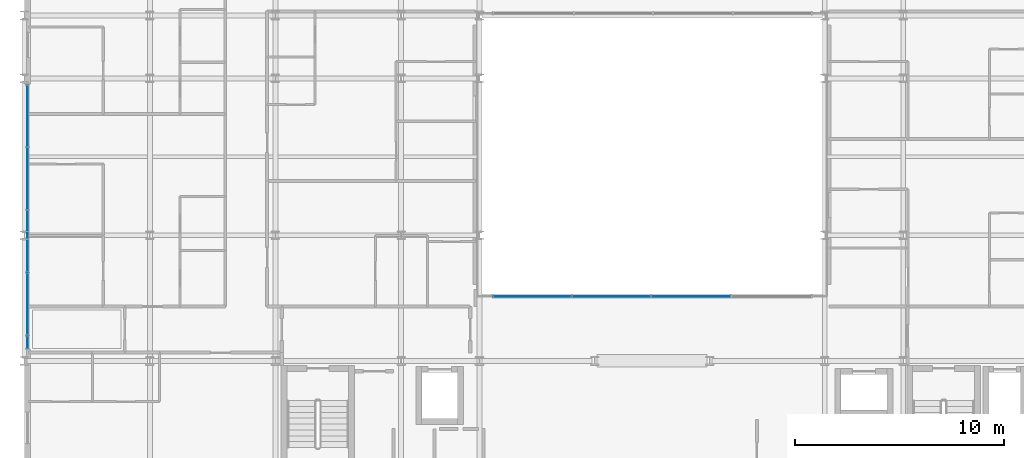
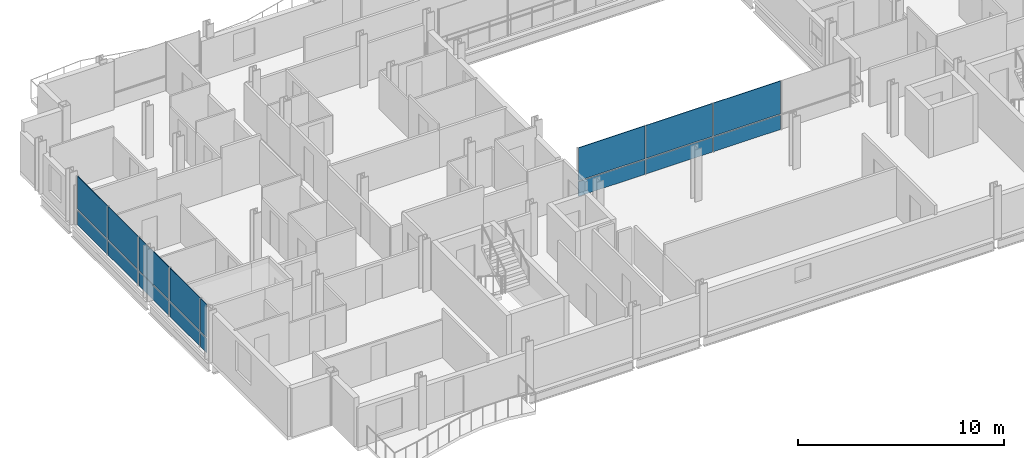
# One storey, part 26 of 40: 16 plates, 2 elements without a shape of their own.
"""IFC4 building model written with IfcOpenShell, lengths in metres."""

from ifc_helpers import new_model, si_unit, direction, frame, origin, origin_2d, place, context, subcontext, project, spatial, rectangle, extrude, material, layer, layer_set, type_object, element, aggregate, save


model = new_model("IFC4")

# Units and contexts
model_context = context("Model", 3, precision=1e-05, world=origin(), true_north=direction((0.0, 1.0)))
body_context = subcontext(model_context, "Body", "Model", "MODEL_VIEW")
ifc_project = project(units=[si_unit("LENGTHUNIT", "METRE"), si_unit("AREAUNIT", "SQUARE_METRE"), si_unit("VOLUMEUNIT", "CUBIC_METRE"), si_unit("PLANEANGLEUNIT", "RADIAN"), si_unit("MASSUNIT", "GRAM", prefix="KILO")], contexts=[model_context])

# Site, building, storey
site_placement = place(None, origin())
site = spatial("IfcSite", under=ifc_project, at=site_placement, CompositionType="ELEMENT")
building_placement = place(site_placement, origin())
building = spatial("IfcBuilding", under=site, at=building_placement, Name="Brevholm Reach", CompositionType="ELEMENT")
storey_placement = place(building_placement, frame((0.0, 0.0, 125.199951171875)))
storey = spatial("IfcBuildingStorey", under=building, at=storey_placement, Name="L37", CompositionType="ELEMENT", Elevation=125.199951171875)

# Curtain wall, plates
ifc_material_1 = material(Name="Dark Anodised Aluminium 6063-T6 and Solar-Control Glass", Category="aluminium")
ifc_layer_1 = layer(ifc_material_1, 0.14990234375)
ifc_layer_set_1 = layer_set([ifc_layer_1], Name="Dark Anodised Aluminium 6063-T6 and Solar-Control Glass")
curtain_wall_type_1 = type_object("IfcCurtainWallType", Name="CW-01", PredefinedType="NOTDEFINED", material=ifc_layer_set_1)
curtain_wall_1_placement = place(storey_placement, origin())
curtain_wall_1 = element("IfcCurtainWall", 1, at=curtain_wall_1_placement, inside=storey, type_object=curtain_wall_type_1, Name="L37 Curtain Wall CW-01", PredefinedType="NOTDEFINED")
ifc_material_2 = material(Name="Dark Solar-Control Double-Glazed IGU Glass", Category="glass")
ifc_layer_2 = layer(ifc_material_2, 0.028076171875)
ifc_layer_set_2 = layer_set([ifc_layer_2], Name="Dark Solar-Control Double-Glazed IGU Glass")
plate_type_1 = type_object("IfcPlateType", Name="CWP-GLZ-28", PredefinedType="CURTAIN_PANEL", material=ifc_layer_set_2)
plate_1_placement = place(storey_placement, frame((0.14990234375, 21.703857421875, 0.0), z_axis=(0.0, 0.0, 1.0), x_axis=(0.0, -1.0, 0.0)))
plate_1 = element("IfcPlate", 2, at=plate_1_placement, type_object=plate_type_1, Name="CP-01 Glazing Panel 1.1", PredefinedType="CURTAIN_PANEL", context=body_context, shape_type="SweptSolid", body=[
    extrude(rectangle(XDim=2.902587890625, YDim=0.028076171875, at=origin_2d()), origin(), (0.0, 0.0, 1.0), 0.867431640625),
])
plate_2_placement = place(storey_placement, frame((0.14990234375, 21.703857421875, 0.9326171875), z_axis=(0.0, 0.0, 1.0), x_axis=(0.0, -1.0, 0.0)))
plate_2 = element("IfcPlate", 3, at=plate_2_placement, type_object=plate_type_1, Name="CP-01 Glazing Panel 1.2", PredefinedType="CURTAIN_PANEL", context=body_context, shape_type="SweptSolid", body=[
    extrude(rectangle(XDim=2.902587890625, YDim=0.028076171875, at=origin_2d()), origin(), (0.0, 0.0, 1.0), 1.947509765625),
])
plate_3_placement = place(storey_placement, frame((0.14990234375, 18.719970703125, 0.0), z_axis=(0.0, 0.0, 1.0), x_axis=(0.0, -1.0, 0.0)))
plate_3 = element("IfcPlate", 4, at=plate_3_placement, type_object=plate_type_1, Name="CP-01 Glazing Panel 2.1", PredefinedType="CURTAIN_PANEL", context=body_context, shape_type="SweptSolid", body=[
    extrude(rectangle(XDim=2.93505859375, YDim=0.028076171875, at=origin_2d()), origin(), (0.0, 0.0, 1.0), 0.867431640625),
])
plate_4_placement = place(storey_placement, frame((0.14990234375, 18.719970703125, 0.9326171875), z_axis=(0.0, 0.0, 1.0), x_axis=(0.0, -1.0, 0.0)))
plate_4 = element("IfcPlate", 5, at=plate_4_placement, type_object=plate_type_1, Name="CP-01 Glazing Panel 2.2", PredefinedType="CURTAIN_PANEL", context=body_context, shape_type="SweptSolid", body=[
    extrude(rectangle(XDim=2.93505859375, YDim=0.028076171875, at=origin_2d()), origin(), (0.0, 0.0, 1.0), 1.947509765625),
])
plate_5_placement = place(storey_placement, frame((0.14990234375, 15.719970703125, 0.0), z_axis=(0.0, 0.0, 1.0), x_axis=(0.0, -1.0, 0.0)))
plate_5 = element("IfcPlate", 6, at=plate_5_placement, type_object=plate_type_1, Name="CP-01 Glazing Panel 3.1", PredefinedType="CURTAIN_PANEL", context=body_context, shape_type="SweptSolid", body=[
    extrude(rectangle(XDim=2.93505859375, YDim=0.028076171875, at=origin_2d()), origin(), (0.0, 0.0, 1.0), 0.867431640625),
])
plate_6_placement = place(storey_placement, frame((0.14990234375, 15.719970703125, 0.9326171875), z_axis=(0.0, 0.0, 1.0), x_axis=(0.0, -1.0, 0.0)))
plate_6 = element("IfcPlate", 7, at=plate_6_placement, type_object=plate_type_1, Name="CP-01 Glazing Panel 3.2", PredefinedType="CURTAIN_PANEL", context=body_context, shape_type="SweptSolid", body=[
    extrude(rectangle(XDim=2.93505859375, YDim=0.028076171875, at=origin_2d()), origin(), (0.0, 0.0, 1.0), 1.947509765625),
])
plate_7_placement = place(storey_placement, frame((0.14990234375, 12.719970703125, 0.0), z_axis=(0.0, 0.0, 1.0), x_axis=(0.0, -1.0, 0.0)))
plate_7 = element("IfcPlate", 8, at=plate_7_placement, type_object=plate_type_1, Name="CP-01 Glazing Panel 4.1", PredefinedType="CURTAIN_PANEL", context=body_context, shape_type="SweptSolid", body=[
    extrude(rectangle(XDim=2.93505859375, YDim=0.028076171875, at=origin_2d()), origin(), (0.0, 0.0, 1.0), 0.867431640625),
])
plate_8_placement = place(storey_placement, frame((0.14990234375, 12.719970703125, 0.9326171875), z_axis=(0.0, 0.0, 1.0), x_axis=(0.0, -1.0, 0.0)))
plate_8 = element("IfcPlate", 9, at=plate_8_placement, type_object=plate_type_1, Name="CP-01 Glazing Panel 4.2", PredefinedType="CURTAIN_PANEL", context=body_context, shape_type="SweptSolid", body=[
    extrude(rectangle(XDim=2.93505859375, YDim=0.028076171875, at=origin_2d()), origin(), (0.0, 0.0, 1.0), 1.947509765625),
])
plate_9_placement = place(storey_placement, frame((0.14990234375, 10.9013671875, 0.0), z_axis=(0.0, 0.0, 1.0), x_axis=(0.0, -1.0, 0.0)))
plate_9 = element("IfcPlate", 10, at=plate_9_placement, type_object=plate_type_1, Name="CP-01 Glazing Panel 5.1", PredefinedType="CURTAIN_PANEL", context=body_context, shape_type="SweptSolid", body=[
    extrude(rectangle(XDim=0.572509765625, YDim=0.028076171875, at=origin_2d()), origin(), (0.0, 0.0, 1.0), 0.867431640625),
])
plate_10_placement = place(storey_placement, frame((0.14990234375, 10.9013671875, 0.9326171875), z_axis=(0.0, 0.0, 1.0), x_axis=(0.0, -1.0, 0.0)))
plate_10 = element("IfcPlate", 11, at=plate_10_placement, type_object=plate_type_1, Name="CP-01 Glazing Panel 5.2", PredefinedType="CURTAIN_PANEL", context=body_context, shape_type="SweptSolid", body=[
    extrude(rectangle(XDim=0.572509765625, YDim=0.028076171875, at=origin_2d()), origin(), (0.0, 0.0, 1.0), 1.947509765625),
])
aggregate(curtain_wall_1, [plate_1, plate_2, plate_3, plate_4, plate_5, plate_6, plate_7, plate_8, plate_9, plate_10])

ifc_material_3 = material(Name="Dark Anodised Aluminium 6063-T6 and Solar-Control Glass", Category="aluminium")
ifc_layer_3 = layer(ifc_material_3, 0.139892578125)
ifc_layer_set_3 = layer_set([ifc_layer_3], Name="Dark Anodised Aluminium 6063-T6 and Solar-Control Glass")
curtain_wall_type_2 = type_object("IfcCurtainWallType", Name="CW-02", PredefinedType="NOTDEFINED", material=ifc_layer_set_3)
curtain_wall_2_placement = place(storey_placement, origin())
curtain_wall_2 = element("IfcCurtainWall", 12, at=curtain_wall_2_placement, inside=storey, type_object=curtain_wall_type_2, Name="L37 Curtain Wall CW-02", PredefinedType="NOTDEFINED")
ifc_material_4 = material(Name="Low-Iron Laminated Acoustic Glass", Category="glass")
ifc_layer_4 = layer(ifc_material_4, 0.035888671875)
ifc_layer_set_4 = layer_set([ifc_layer_4], Name="Low-Iron Laminated Acoustic Glass")
plate_type_2 = type_object("IfcPlateType", Name="CWP-GLZ-36", PredefinedType="CURTAIN_PANEL", material=ifc_layer_set_4)
plate_11_placement = place(storey_placement, frame((24.264892578125, 13.080078125, 0.0), z_axis=(0.0, 0.0, 1.0), x_axis=(1.0, 0.0, 0.0)))
plate_11 = element("IfcPlate", 13, at=plate_11_placement, type_object=plate_type_2, Name="CP-02 Glazing Panel 1.1", PredefinedType="CURTAIN_PANEL", context=body_context, shape_type="SweptSolid", body=[
    extrude(rectangle(XDim=3.7099609375, YDim=0.035888671875, at=origin_2d()), origin(), (0.0, 0.0, 1.0), 0.8701171875),
])
plate_12_placement = place(storey_placement, frame((24.264892578125, 13.080078125, 0.93017578125), z_axis=(0.0, 0.0, 1.0), x_axis=(1.0, 0.0, 0.0)))
plate_12 = element("IfcPlate", 14, at=plate_12_placement, type_object=plate_type_2, Name="CP-02 Glazing Panel 1.2", PredefinedType="CURTAIN_PANEL", context=body_context, shape_type="SweptSolid", body=[
    extrude(rectangle(XDim=3.7099609375, YDim=0.035888671875, at=origin_2d()), origin(), (0.0, 0.0, 1.0), 1.949951171875),
])
plate_13_placement = place(storey_placement, frame((28.050048828125, 13.080078125, 0.0), z_axis=(0.0, 0.0, 1.0), x_axis=(1.0, 0.0, 0.0)))
plate_13 = element("IfcPlate", 15, at=plate_13_placement, type_object=plate_type_2, Name="CP-02 Glazing Panel 2.1", PredefinedType="CURTAIN_PANEL", context=body_context, shape_type="SweptSolid", body=[
    extrude(rectangle(XDim=3.739990234375, YDim=0.035888671875, at=origin_2d()), origin(), (0.0, 0.0, 1.0), 0.8701171875),
])
plate_14_placement = place(storey_placement, frame((28.050048828125, 13.080078125, 0.93017578125), z_axis=(0.0, 0.0, 1.0), x_axis=(1.0, 0.0, 0.0)))
plate_14 = element("IfcPlate", 16, at=plate_14_placement, type_object=plate_type_2, Name="CP-02 Glazing Panel 2.2", PredefinedType="CURTAIN_PANEL", context=body_context, shape_type="SweptSolid", body=[
    extrude(rectangle(XDim=3.739990234375, YDim=0.035888671875, at=origin_2d()), origin(), (0.0, 0.0, 1.0), 1.949951171875),
])
plate_15_placement = place(storey_placement, frame((31.85009765625, 13.080078125, 0.0), z_axis=(0.0, 0.0, 1.0), x_axis=(1.0, 0.0, 0.0)))
plate_15 = element("IfcPlate", 17, at=plate_15_placement, type_object=plate_type_2, Name="CP-02 Glazing Panel 3.1", PredefinedType="CURTAIN_PANEL", context=body_context, shape_type="SweptSolid", body=[
    extrude(rectangle(XDim=3.739990234375, YDim=0.035888671875, at=origin_2d()), origin(), (0.0, 0.0, 1.0), 0.8701171875),
])
plate_16_placement = place(storey_placement, frame((31.85009765625, 13.080078125, 0.93017578125), z_axis=(0.0, 0.0, 1.0), x_axis=(1.0, 0.0, 0.0)))
plate_16 = element("IfcPlate", 18, at=plate_16_placement, type_object=plate_type_2, Name="CP-02 Glazing Panel 3.2", PredefinedType="CURTAIN_PANEL", context=body_context, shape_type="SweptSolid", body=[
    extrude(rectangle(XDim=3.739990234375, YDim=0.035888671875, at=origin_2d()), origin(), (0.0, 0.0, 1.0), 1.949951171875),
])
aggregate(curtain_wall_2, [plate_11, plate_12, plate_13, plate_14, plate_15, plate_16])

save(model, "model.ifc")
